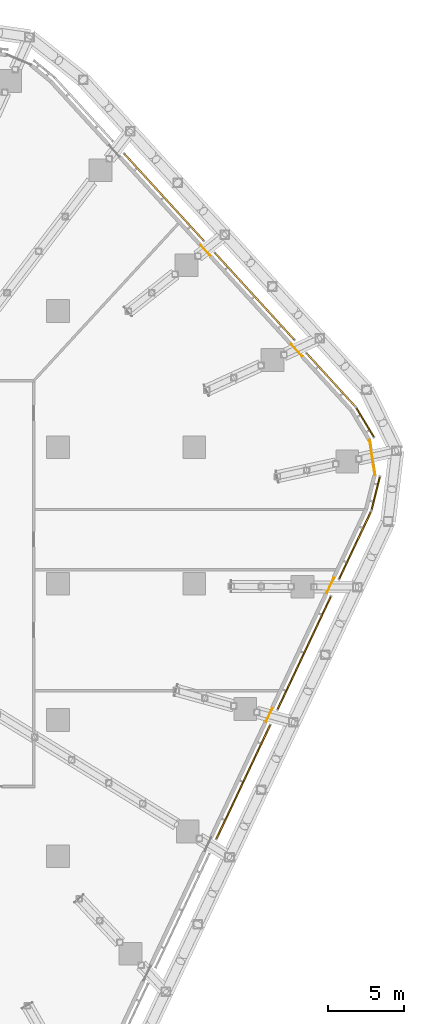
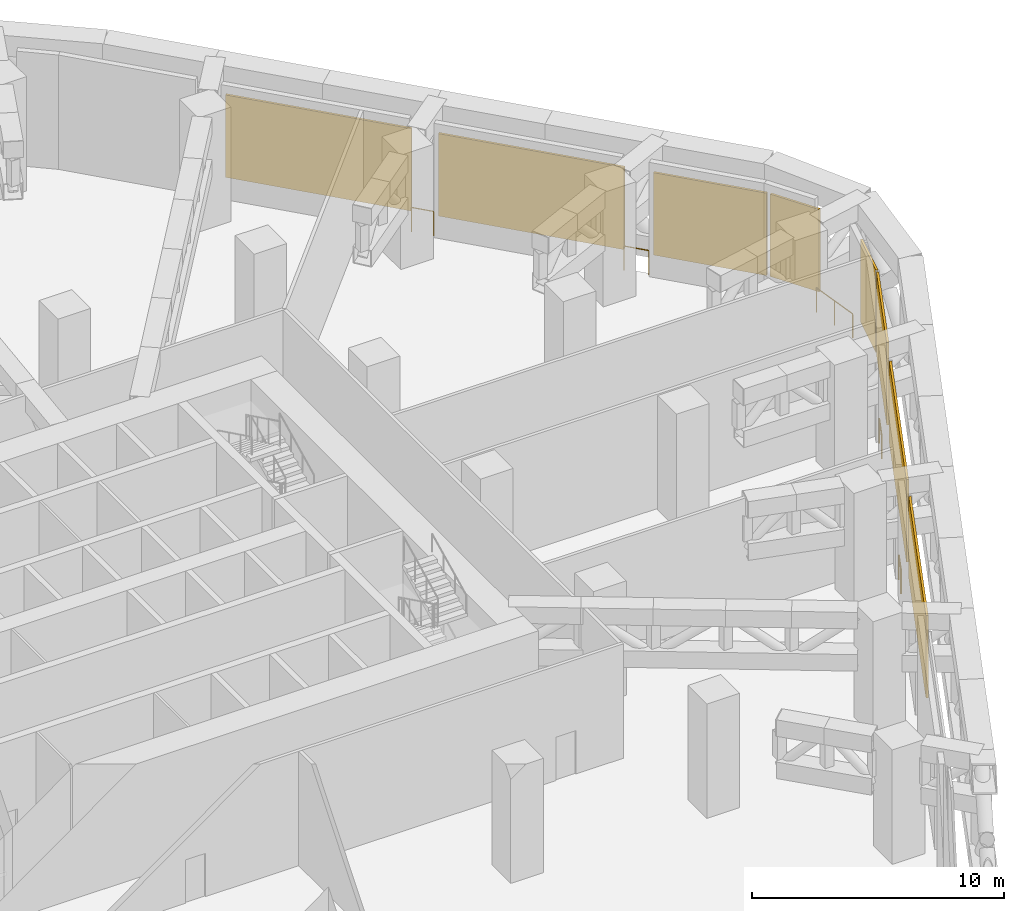
# One storey, part 37 of 38: 8 coverings, 5 railings, 3 elements without a shape of their own.
"""IFC4 building model written with IfcOpenShell, lengths in metres."""

from ifc_helpers import new_model, si_unit, direction, frame, origin, origin_2d, place, context, subcontext, project, spatial, rectangle, circle, extrude, material, layer, layer_set, type_object, element, aggregate, save


model = new_model("IFC4")

# Units and contexts
model_context = context("Model", 3, precision=1e-05, world=origin(), true_north=direction((0.0, 1.0)))
body_context = subcontext(model_context, "Body", "Model", "MODEL_VIEW")
ifc_project = project(units=[si_unit("LENGTHUNIT", "METRE"), si_unit("AREAUNIT", "SQUARE_METRE"), si_unit("VOLUMEUNIT", "CUBIC_METRE"), si_unit("PLANEANGLEUNIT", "RADIAN"), si_unit("MASSUNIT", "GRAM", prefix="KILO")], contexts=[model_context])

# Site, building, storey
site_placement = place(None, origin())
site = spatial("IfcSite", under=ifc_project, at=site_placement, CompositionType="ELEMENT")
building_placement = place(site_placement, origin())
building = spatial("IfcBuilding", under=site, at=building_placement, Name="Dongbaek Canopy Tower", CompositionType="ELEMENT")
storey_placement = place(building_placement, frame((0.0, 0.0, 89.199951171875)))
storey = spatial("IfcBuildingStorey", under=building, at=storey_placement, Name="L18", CompositionType="ELEMENT", Elevation=89.199951171875)

# Curtain wall, coverings
ifc_material_1 = material(Name="Aluminium 6063-T6 pale anodised", Category="aluminium")
ifc_layer_1 = layer(ifc_material_1, 0.14990234375)
ifc_layer_set_1 = layer_set([ifc_layer_1], Name="CW-7 louvre curtain wall")
curtain_wall_type = type_object("IfcCurtainWallType", Name="CW-7 louvre curtain wall", PredefinedType="NOTDEFINED", material=ifc_layer_set_1)
curtain_wall_1_placement = place(storey_placement, origin())
curtain_wall_1 = element("IfcCurtainWall", 1, at=curtain_wall_1_placement, inside=storey, type_object=curtain_wall_type, Name="CW-7 louvre wall L18 K0", PredefinedType="NOTDEFINED")
ifc_material_2 = material(Name="Aluminium 6063-T6 pale metal louvre blades", Category="aluminium")
ifc_layer_2 = layer(ifc_material_2, 0.10009765625)
ifc_layer_set_2 = layer_set([ifc_layer_2], Name="Louvre LV bank 100 x 4000")
covering_type = type_object("IfcCoveringType", Name="Louvre LV bank 100 x 4000", PredefinedType="CLADDING", material=ifc_layer_set_2)
covering_1_placement = place(storey_placement, frame((38.98095703125, 5.973876953125, 0.775146484375), z_axis=(0.0, 0.0, 1.0), x_axis=(0.241843568261, 0.970315252117, 0.0)))
covering_1 = element("IfcCovering", 2, at=covering_1_placement, type_object=covering_type, Name="Louvre L18 K0.1.1", PredefinedType="CLADDING", context=body_context, shape_type="SweptSolid", body=[
    extrude(rectangle(XDim=2.228271484375, YDim=0.10009765625, at=origin_2d()), origin(), (0.0, 0.0, 1.0), 4.0),
])
covering_2_placement = place(storey_placement, frame((38.27783203125, 10.638916015625, 0.775146484375), z_axis=(0.0, 0.0, 1.0), x_axis=(-0.51716533983, 0.85588551295, 0.0)))
covering_2 = element("IfcCovering", 3, at=covering_2_placement, type_object=covering_type, Name="Louvre L18 K0.2.1", PredefinedType="CLADDING", context=body_context, shape_type="SweptSolid", body=[
    extrude(rectangle(XDim=2.228271484375, YDim=0.10009765625, at=origin_2d()), origin(), (0.0, 0.0, 1.0), 4.0),
])
aggregate(curtain_wall_1, [covering_1, covering_2])

curtain_wall_2_placement = place(storey_placement, origin())
curtain_wall_2 = element("IfcCurtainWall", 4, at=curtain_wall_2_placement, inside=storey, type_object=curtain_wall_type, Name="CW-7 louvre wall L18 F0", PredefinedType="NOTDEFINED")
covering_3_placement = place(storey_placement, frame((36.014404296875, 13.46142578125, 0.775146484375), z_axis=(0.0, 0.0, 1.0), x_axis=(-0.674646668897, 0.738140821352, 0.0)))
covering_3 = element("IfcCovering", 5, at=covering_3_placement, type_object=covering_type, Name="Louvre L18 F0.1.1", PredefinedType="CLADDING", context=body_context, shape_type="SweptSolid", body=[
    extrude(rectangle(XDim=4.72021484375, YDim=0.10009765625, at=origin_2d()), origin(), (0.0, 0.0, 1.0), 4.0),
])
covering_4_placement = place(storey_placement, frame((30.98193359375, 18.9677734375, 0.775146484375), z_axis=(0.0, 0.0, 1.0), x_axis=(-0.674646668897, 0.738140821352, 0.0)))
covering_4 = element("IfcCovering", 6, at=covering_4_placement, type_object=covering_type, Name="Louvre L18 F0.2.1", PredefinedType="CLADDING", context=body_context, shape_type="SweptSolid", body=[
    extrude(rectangle(XDim=7.746337890625, YDim=0.10009765625, at=origin_2d()), origin(), (0.0, 0.0, 1.0), 4.0),
])
covering_5_placement = place(storey_placement, frame((24.99755859375, 25.51513671875, 0.775146484375), z_axis=(0.0, 0.0, 1.0), x_axis=(-0.674646668897, 0.738140821352, 0.0)))
covering_5 = element("IfcCovering", 7, at=covering_5_placement, type_object=covering_type, Name="Louvre L18 F0.3.1", PredefinedType="CLADDING", context=body_context, shape_type="SweptSolid", body=[
    extrude(rectangle(XDim=7.755126953125, YDim=0.10009765625, at=origin_2d()), origin(), (0.0, 0.0, 1.0), 4.0),
])
aggregate(curtain_wall_2, [covering_3, covering_4, covering_5])

curtain_wall_3_placement = place(storey_placement, origin())
curtain_wall_3 = element("IfcCurtainWall", 8, at=curtain_wall_3_placement, inside=storey, type_object=curtain_wall_type, Name="CW-7 louvre wall L18 F5", PredefinedType="NOTDEFINED")
covering_6_placement = place(storey_placement, frame((30.232421875, -13.09814453125, 0.775146484375), z_axis=(0.0, 0.0, 1.0), x_axis=(0.427038992534, 0.904233210436, 0.0)))
covering_6 = element("IfcCovering", 9, at=covering_6_placement, type_object=covering_type, Name="Louvre L18 F5.3.1", PredefinedType="CLADDING", context=body_context, shape_type="SweptSolid", body=[
    extrude(rectangle(XDim=8.28662109375, YDim=0.10009765625, at=origin_2d()), origin(), (0.0, 0.0, 1.0), 4.0),
])
covering_7_placement = place(storey_placement, frame((34.255859375, -4.578125, 0.775146484375), z_axis=(0.0, 0.0, 1.0), x_axis=(0.427038992534, 0.904233210436, 0.0)))
covering_7 = element("IfcCovering", 10, at=covering_7_placement, type_object=covering_type, Name="Louvre L18 F5.4.1", PredefinedType="CLADDING", context=body_context, shape_type="SweptSolid", body=[
    extrude(rectangle(XDim=8.2275390625, YDim=0.10009765625, at=origin_2d()), origin(), (0.0, 0.0, 1.0), 4.0),
])
covering_8_placement = place(storey_placement, frame((37.610595703125, 2.524658203125, 0.775146484375), z_axis=(0.0, 0.0, 1.0), x_axis=(0.427038992534, 0.904233210436, 0.0)))
covering_8 = element("IfcCovering", 11, at=covering_8_placement, type_object=covering_type, Name="Louvre L18 F5.5.1", PredefinedType="CLADDING", context=body_context, shape_type="SweptSolid", body=[
    extrude(rectangle(XDim=4.90771484375, YDim=0.10009765625, at=origin_2d()), origin(), (0.0, 0.0, 1.0), 4.0),
])
aggregate(curtain_wall_3, [covering_6, covering_7, covering_8])

# Railings
ifc_material_3 = material(Name="Stainless steel", Category="steel")
railing_type = type_object("IfcRailingType", Name="Plant opening guard 1200", PredefinedType="GUARDRAIL", material=ifc_material_3)
railing_1_placement = place(storey_placement, frame((38.921875, 7.183349609375, 0.0)))
element("IfcRailing", 12, at=railing_1_placement, inside=storey, type_object=railing_type, Name="Plant opening guard L18 K0 1", PredefinedType="GUARDRAIL", context=body_context, shape_type="SweptSolid", body=[
    extrude(circle(Radius=0.02392578125, at=origin_2d()), frame((0.0, 0.0, 1.17578125), z_axis=(-0.149131719774, 0.988817339126, 0.0), x_axis=(-0.988817339126, -0.149131719774, 0.0)), (0.0, 0.0, 1.0), 2.308349609375),
    extrude(circle(Radius=0.02099609375, at=origin_2d()), origin(), (0.0, 0.0, 1.0), 1.15185546875),
    extrude(circle(Radius=0.02099609375, at=origin_2d()), frame((-0.172119140625, 1.14111328125, 0.0)), (0.0, 0.0, 1.0), 1.15185546875),
    extrude(circle(Radius=0.02099609375, at=origin_2d()), frame((-0.34423828125, 2.282470703125, 0.0)), (0.0, 0.0, 1.0), 1.15185546875),
])
railing_2_placement = place(storey_placement, frame((34.099609375, 15.03759765625, 0.0)))
element("IfcRailing", 13, at=railing_2_placement, inside=storey, type_object=railing_type, Name="Plant opening guard L18 F0 1", PredefinedType="GUARDRAIL", context=body_context, shape_type="SweptSolid", body=[
    extrude(circle(Radius=0.02392578125, at=origin_2d()), frame((0.0, 0.0, 1.17578125), z_axis=(-0.674582168983, 0.738199767874, 0.0), x_axis=(-0.738199767874, -0.674582168983, 0.0)), (0.0, 0.0, 1.0), 1.0361328125),
    extrude(circle(Radius=0.02099609375, at=origin_2d()), origin(), (0.0, 0.0, 1.0), 1.15185546875),
    extrude(circle(Radius=0.02099609375, at=origin_2d()), frame((-0.698974609375, 0.764892578125, 0.0)), (0.0, 0.0, 1.0), 1.15185546875),
])
railing_3_placement = place(storey_placement, frame((28.04638671875, 21.66064453125, 0.0)))
element("IfcRailing", 14, at=railing_3_placement, inside=storey, type_object=railing_type, Name="Plant opening guard L18 F0 2", PredefinedType="GUARDRAIL", context=body_context, shape_type="SweptSolid", body=[
    extrude(circle(Radius=0.02392578125, at=origin_2d()), frame((0.0, 0.0, 1.17578125), z_axis=(-0.674617977609, 0.73816704362, 0.0), x_axis=(-0.73816704362, -0.674617977609, 0.0)), (0.0, 0.0, 1.0), 0.9296875),
    extrude(circle(Radius=0.02099609375, at=origin_2d()), origin(), (0.0, 0.0, 1.0), 1.15185546875),
    extrude(circle(Radius=0.02099609375, at=origin_2d()), frame((-0.627197265625, 0.686279296875, 0.0)), (0.0, 0.0, 1.0), 1.15185546875),
])
railing_4_placement = place(storey_placement, frame((31.725830078125, -9.1162109375, 0.0)))
element("IfcRailing", 15, at=railing_4_placement, inside=storey, type_object=railing_type, Name="Plant opening guard L18 F5 3", PredefinedType="GUARDRAIL", context=body_context, shape_type="SweptSolid", body=[
    extrude(circle(Radius=0.02392578125, at=origin_2d()), frame((0.0, 0.0, 1.17578125), z_axis=(0.426869824776, 0.904313083338, 0.0), x_axis=(-0.904313083338, 0.426869824776, 0.0)), (0.0, 0.0, 1.0), 0.97509765625),
    extrude(circle(Radius=0.02099609375, at=origin_2d()), origin(), (0.0, 0.0, 1.0), 1.15185546875),
    extrude(circle(Radius=0.02099609375, at=origin_2d()), frame((0.416259765625, 0.8818359375, 0.0)), (0.0, 0.0, 1.0), 1.15185546875),
])
railing_5_placement = place(storey_placement, frame((35.73681640625, -0.623046875, 0.0)))
element("IfcRailing", 16, at=railing_5_placement, inside=storey, type_object=railing_type, Name="Plant opening guard L18 F5 4", PredefinedType="GUARDRAIL", context=body_context, shape_type="SweptSolid", body=[
    extrude(circle(Radius=0.02392578125, at=origin_2d()), frame((0.0, 0.0, 1.17578125), z_axis=(0.427082087402, 0.904212856921, 0.0), x_axis=(-0.904212856921, 0.427082087402, 0.0)), (0.0, 0.0, 1.0), 1.09765625),
    extrude(circle(Radius=0.02099609375, at=origin_2d()), origin(), (0.0, 0.0, 1.0), 1.15185546875),
    extrude(circle(Radius=0.02099609375, at=origin_2d()), frame((0.46875, 0.992431640625, 0.0)), (0.0, 0.0, 1.0), 1.15185546875),
])

save(model, "model.ifc")
